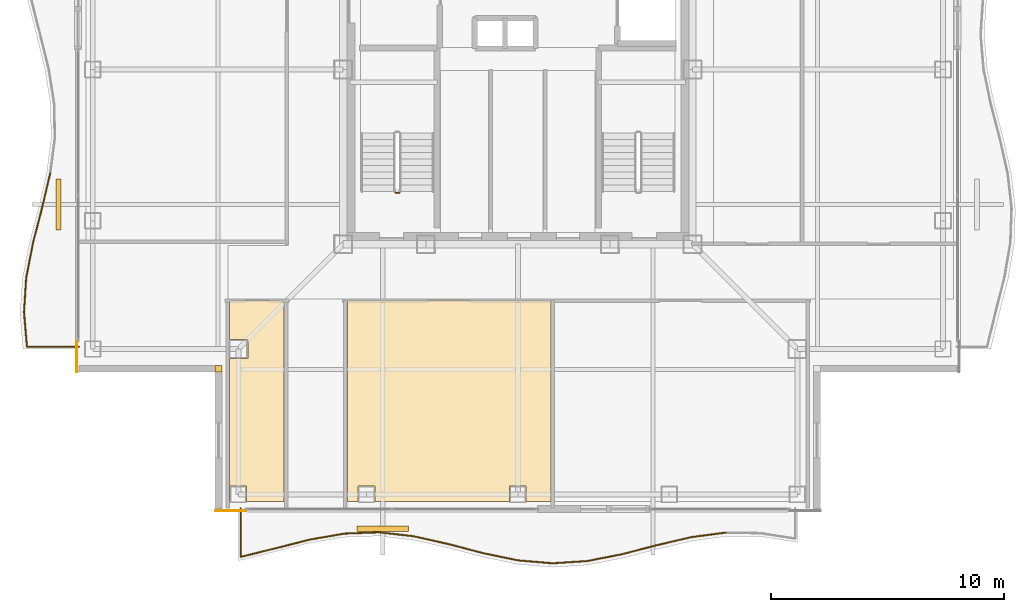
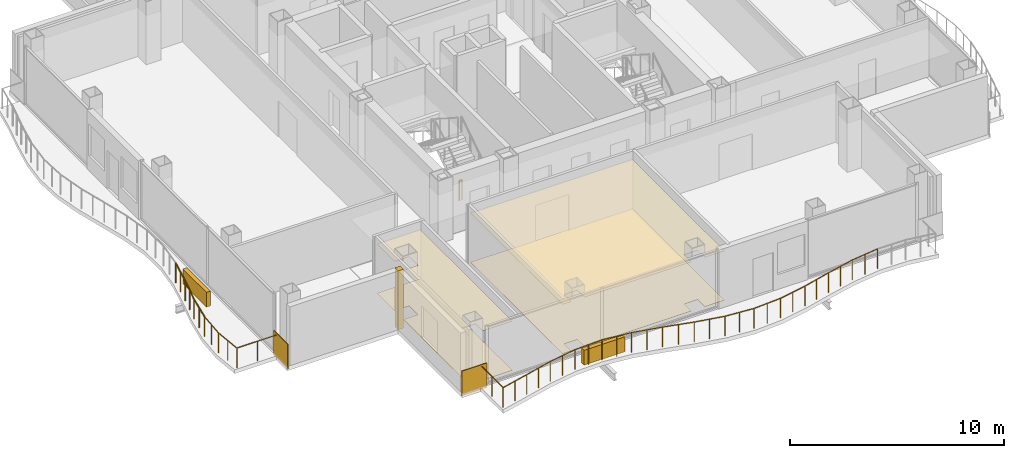
# One storey, part 13 of 17: 22 railings, 7 coverings, 2 shading devices.
"""IFC4 building model written with IfcOpenShell, lengths in metres."""

from ifc_helpers import new_model, si_unit, direction, frame, frame_2d, origin, origin_2d, place, context, subcontext, project, spatial, polyline, rectangle, circle, outline, extrude, material, layer, layer_set, type_object, element, save


model = new_model("IFC4")

# Units and contexts
model_context = context("Model", 3, precision=1e-05, world=origin(), true_north=direction((0.0, 1.0)))
body_context = subcontext(model_context, "Body", "Model", "MODEL_VIEW")
ifc_project = project(units=[si_unit("LENGTHUNIT", "METRE"), si_unit("AREAUNIT", "SQUARE_METRE"), si_unit("VOLUMEUNIT", "CUBIC_METRE"), si_unit("PLANEANGLEUNIT", "RADIAN"), si_unit("MASSUNIT", "GRAM", prefix="KILO")], contexts=[model_context])

# Site, building, storey
site_placement = place(None, origin())
site = spatial("IfcSite", under=ifc_project, at=site_placement, CompositionType="ELEMENT")
building_placement = place(site_placement, origin())
building = spatial("IfcBuilding", under=site, at=building_placement, Name="Trevonay Congress Spire", CompositionType="ELEMENT")
storey_placement = place(building_placement, frame((0.0, 0.0, 264.800048828125)))
storey = spatial("IfcBuildingStorey", under=building, at=storey_placement, Name="L69", CompositionType="ELEMENT", Elevation=264.800048828125)

# Coverings
ifc_material_1 = material(Name="Acoustic Mineral Fibre Board", Category="gypsum")
ifc_layer_1 = layer(ifc_material_1, 0.02490234375, Name="Acoustic Mineral Fibre Board")
ifc_layer_set_1 = layer_set([ifc_layer_1], Name="Acoustic Mineral Fibre Board")
covering_type_1 = type_object("IfcCoveringType", Name="COV-CEIL-ACOUSTIC", PredefinedType="CEILING", material=ifc_layer_set_1)
covering_1_placement = place(storey_placement, frame((0.0, 0.0, 2.81005859375)))
element("IfcCovering", 1, at=covering_1_placement, inside=storey, type_object=covering_type_1, Name="L69 Horizon Telescope Lounge acoustic suspended ceiling", PredefinedType="CEILING", context=body_context, shape_type="SweptSolid", body=[
    extrude(outline(polyline([(-12.3701171875, -18.550048828125), (-12.3701171875, -12.409912109375), (-11.590087890625, -12.409912109375), (-11.590087890625, -11.590087890625), (-12.3701171875, -11.590087890625), (-12.3701171875, -9.929931640625), (-10.030029296875, -9.929931640625), (-10.030029296875, -18.550048828125), (-11.639892578125, -18.550048828125), (-11.639892578125, -17.889892578125), (-12.360107421875, -17.889892578125), (-12.360107421875, -18.550048828125), (-12.3701171875, -18.550048828125)])), origin(), (0.0, 0.0, 1.0), 0.02490234375),
])
covering_2_placement = place(storey_placement, frame((0.0, 0.0, 2.81005859375)))
element("IfcCovering", 2, at=covering_2_placement, inside=storey, type_object=covering_type_1, Name="L69 Contemporary Latin Art Gallery Lounge acoustic suspended ceiling", PredefinedType="CEILING", context=body_context, shape_type="SweptSolid", body=[
    extrude(outline(polyline([(-7.320068359375, -18.550048828125), (-7.320068359375, -9.929931640625), (1.419921875, -9.929931640625), (1.419921875, -18.550048828125), (0.360107421875, -18.550048828125), (0.360107421875, -17.889892578125), (-0.360107421875, -17.889892578125), (-0.360107421875, -18.550048828125), (-6.139892578125, -18.550048828125), (-6.139892578125, -17.889892578125), (-6.860107421875, -17.889892578125), (-6.860107421875, -18.550048828125), (-7.320068359375, -18.550048828125)])), origin(), (0.0, 0.0, 1.0), 0.02490234375),
])
ifc_material_2 = material(Name="Engineered Oak Flooring", Category="wood")
ifc_layer_2 = layer(ifc_material_2, 0.01806640625, Name="Engineered Oak Flooring")
ifc_layer_set_2 = layer_set([ifc_layer_2], Name="Engineered Oak Flooring")
covering_type_2 = type_object("IfcCoveringType", Name="COV-FLOOR-TIMBER", PredefinedType="FLOORING", material=ifc_layer_set_2)
covering_3_placement = place(storey_placement, origin())
element("IfcCovering", 3, at=covering_3_placement, inside=storey, type_object=covering_type_2, Name="L69 Horizon Telescope Lounge floor finish", PredefinedType="FLOORING", context=body_context, shape_type="SweptSolid", body=[
    extrude(outline(polyline([(-12.3701171875, -18.550048828125), (-12.3701171875, -12.409912109375), (-11.590087890625, -12.409912109375), (-11.590087890625, -11.590087890625), (-12.3701171875, -11.590087890625), (-12.3701171875, -9.929931640625), (-10.030029296875, -9.929931640625), (-10.030029296875, -18.550048828125), (-11.639892578125, -18.550048828125), (-11.639892578125, -17.889892578125), (-12.360107421875, -17.889892578125), (-12.360107421875, -18.550048828125), (-12.3701171875, -18.550048828125)])), origin(), (0.0, 0.0, 1.0), 0.01806640625),
])
covering_4_placement = place(storey_placement, origin())
element("IfcCovering", 4, at=covering_4_placement, inside=storey, type_object=covering_type_2, Name="L69 Contemporary Latin Art Gallery Lounge floor finish", PredefinedType="FLOORING", context=body_context, shape_type="SweptSolid", body=[
    extrude(outline(polyline([(-7.320068359375, -18.550048828125), (-7.320068359375, -9.929931640625), (1.419921875, -9.929931640625), (1.419921875, -18.550048828125), (0.360107421875, -18.550048828125), (0.360107421875, -17.889892578125), (-0.360107421875, -17.889892578125), (-0.360107421875, -18.550048828125), (-6.139892578125, -18.550048828125), (-6.139892578125, -17.889892578125), (-6.860107421875, -17.889892578125), (-6.860107421875, -18.550048828125), (-7.320068359375, -18.550048828125)])), origin(), (0.0, 0.0, 1.0), 0.01806640625),
])
ifc_material_3 = material(Name="Pale Anodised Aluminium EN AW-6063-T6", Category="aluminium")
ifc_layer_3 = layer(ifc_material_3, 0.0400390625, Name="Pale Anodised Aluminium EN AW-6063-T6")
ifc_layer_set_3 = layer_set([ifc_layer_3], Name="Pale Anodised Aluminium EN AW-6063-T6")
covering_type_3 = type_object("IfcCoveringType", Name="COV-SPANDREL-PALE-METAL", PredefinedType="CLADDING", material=ifc_layer_set_3)
covering_5_placement = place(storey_placement, origin())
element("IfcCovering", 5, at=covering_5_placement, inside=storey, type_object=covering_type_3, Name="L69 SW re-entrant notch corner closure trim", PredefinedType="CLADDING", context=body_context, shape_type="SweptSolid", body=[
    extrude(outline(polyline([(-13.0, -13.0), (-12.699951171875, -13.0), (-12.699951171875, -12.699951171875), (-13.0, -12.699951171875), (-13.0, -13.0)])), origin(), (0.0, 0.0, 1.0), 3.35986328125),
])
for number, where, z_axis, x_axis, name in (
    (6, (-18.93994140625, -11.64990234375, -0.150146484375), (0.0, 0.0, 1.0), (0.0, -1.0, 0.0), "L69 SW corner pier spandrel cladding 1"),
    (7, (-11.64990234375, -18.93994140625, -0.150146484375), (0.0, 0.0, 1.0), (-1.0, 0.0, 0.0), "L69 SW corner pier spandrel cladding 2"),
):
    element("IfcCovering", number, at=place(storey_placement, frame(where, z_axis=z_axis, x_axis=x_axis)), inside=storey, type_object=covering_type_3, Name=name, PredefinedType="CLADDING", context=body_context, shape_type="SweptSolid", body=[
        extrude(rectangle(XDim=1.35009765625, YDim=0.0400390625, at=frame_2d((0.675048828125, 0.0))), origin(), (0.0, 0.0, 1.0), 1.400146484375),
    ])

# Railings
railing_type_1 = type_object("IfcRailingType", Name="RAL-EXT-GUARD-115", PredefinedType="GUARDRAIL", material=ifc_material_3)
railing_1_placement = place(storey_placement, frame((-11.904052734375, -20.927978515625, 0.0)))
element("IfcRailing", 8, at=railing_1_placement, inside=storey, type_object=railing_type_1, Name="L69 perimeter safety guard GRD-L69-WAV-S-1", PredefinedType="GUARDRAIL", context=body_context, shape_type="SweptSolid", body=[
    extrude(circle(Radius=0.02392578125, at=origin_2d()), frame((0.0, 0.0, 1.1259765625), z_axis=(0.970915256324, 0.23942340119, 0.0), x_axis=(-0.23942340119, 0.970915256324, 0.0)), (0.0, 0.0, 1.0), 1.53271484375),
    extrude(circle(Radius=0.02099609375, at=origin_2d()), origin(), (0.0, 0.0, 1.0), 1.101806640625),
    extrude(circle(Radius=0.02099609375, at=origin_2d()), frame((0.744140625, 0.18359375, 0.0)), (0.0, 0.0, 1.0), 1.101806640625),
    extrude(circle(Radius=0.02099609375, at=origin_2d()), frame((1.488037109375, 0.366943359375, 0.0)), (0.0, 0.0, 1.0), 1.101806640625),
])
railing_2_placement = place(storey_placement, frame((-10.416015625, -20.56103515625, 0.0)))
element("IfcRailing", 9, at=railing_2_placement, inside=storey, type_object=railing_type_1, Name="L69 perimeter safety guard GRD-L69-WAV-S-2", PredefinedType="GUARDRAIL", context=body_context, shape_type="SweptSolid", body=[
    extrude(circle(Radius=0.02392578125, at=origin_2d()), frame((0.0, 0.0, 1.1259765625), z_axis=(0.969379961434, 0.245565653889, 0.0), x_axis=(-0.245565653889, 0.969379961434, 0.0)), (0.0, 0.0, 1.0), 1.53515625),
    extrude(circle(Radius=0.02099609375, at=origin_2d()), origin(), (0.0, 0.0, 1.0), 1.101806640625),
    extrude(circle(Radius=0.02099609375, at=origin_2d()), frame((0.744140625, 0.1884765625, 0.0)), (0.0, 0.0, 1.0), 1.101806640625),
    extrude(circle(Radius=0.02099609375, at=origin_2d()), frame((1.488037109375, 0.376953125, 0.0)), (0.0, 0.0, 1.0), 1.101806640625),
])
railing_3_placement = place(storey_placement, frame((-8.927978515625, -20.18408203125, 0.0)))
element("IfcRailing", 10, at=railing_3_placement, inside=storey, type_object=railing_type_1, Name="L69 perimeter safety guard GRD-L69-WAV-S-3", PredefinedType="GUARDRAIL", context=body_context, shape_type="SweptSolid", body=[
    extrude(circle(Radius=0.02392578125, at=origin_2d()), frame((0.0, 0.0, 1.1259765625), z_axis=(0.985293508536, 0.170870424696, 0.0), x_axis=(-0.170870424696, 0.985293508536, 0.0)), (0.0, 0.0, 1.0), 1.51025390625),
    extrude(circle(Radius=0.02099609375, at=origin_2d()), origin(), (0.0, 0.0, 1.0), 1.101806640625),
    extrude(circle(Radius=0.02099609375, at=origin_2d()), frame((0.744140625, 0.12890625, 0.0)), (0.0, 0.0, 1.0), 1.101806640625),
    extrude(circle(Radius=0.02099609375, at=origin_2d()), frame((1.488037109375, 0.258056640625, 0.0)), (0.0, 0.0, 1.0), 1.101806640625),
])
railing_4_placement = place(storey_placement, frame((-7.43994140625, -19.926025390625, 0.0)))
element("IfcRailing", 11, at=railing_4_placement, inside=storey, type_object=railing_type_1, Name="L69 perimeter safety guard GRD-L69-WAV-S-4", PredefinedType="GUARDRAIL", context=body_context, shape_type="SweptSolid", body=[
    extrude(circle(Radius=0.02392578125, at=origin_2d()), frame((0.0, 0.0, 1.1259765625), z_axis=(0.99936681675, 0.035580410047, 0.0), x_axis=(-0.035580410047, 0.99936681675, 0.0)), (0.0, 0.0, 1.0), 1.489013671875),
    extrude(circle(Radius=0.02099609375, at=origin_2d()), origin(), (0.0, 0.0, 1.0), 1.101806640625),
    extrude(circle(Radius=0.02099609375, at=origin_2d()), frame((0.744140625, 0.0263671875, 0.0)), (0.0, 0.0, 1.0), 1.101806640625),
    extrude(circle(Radius=0.02099609375, at=origin_2d()), frame((1.488037109375, 0.052978515625, 0.0)), (0.0, 0.0, 1.0), 1.101806640625),
])
railing_5_placement = place(storey_placement, frame((-5.951904296875, -19.873046875, 0.0)))
element("IfcRailing", 12, at=railing_5_placement, inside=storey, type_object=railing_type_1, Name="L69 perimeter safety guard GRD-L69-WAV-S-5", PredefinedType="GUARDRAIL", context=body_context, shape_type="SweptSolid", body=[
    extrude(circle(Radius=0.02392578125, at=origin_2d()), frame((0.0, 0.0, 1.1259765625), z_axis=(0.993614397516, -0.112829203, 0.0), x_axis=(0.112829203, 0.993614397516, 0.0)), (0.0, 0.0, 1.0), 1.497314453125),
    extrude(circle(Radius=0.02099609375, at=origin_2d()), origin(), (0.0, 0.0, 1.0), 1.101806640625),
    extrude(circle(Radius=0.02099609375, at=origin_2d()), frame((0.743896484375, -0.08447265625, 0.0)), (0.0, 0.0, 1.0), 1.101806640625),
    extrude(circle(Radius=0.02099609375, at=origin_2d()), frame((1.48779296875, -0.1689453125, 0.0)), (0.0, 0.0, 1.0), 1.101806640625),
])
railing_6_placement = place(storey_placement, frame((-4.464111328125, -20.0419921875, 0.0)))
element("IfcRailing", 13, at=railing_6_placement, inside=storey, type_object=railing_type_1, Name="L69 perimeter safety guard GRD-L69-WAV-S-6", PredefinedType="GUARDRAIL", context=body_context, shape_type="SweptSolid", body=[
    extrude(circle(Radius=0.02392578125, at=origin_2d()), frame((0.0, 0.0, 1.1259765625), z_axis=(0.975450983832, -0.220216661814, 0.0), x_axis=(0.220216661814, 0.975450983832, 0.0)), (0.0, 0.0, 1.0), 1.525390625),
    extrude(circle(Radius=0.02099609375, at=origin_2d()), origin(), (0.0, 0.0, 1.0), 1.101806640625),
    extrude(circle(Radius=0.02099609375, at=origin_2d()), frame((0.744140625, -0.16796875, 0.0)), (0.0, 0.0, 1.0), 1.101806640625),
    extrude(circle(Radius=0.02099609375, at=origin_2d()), frame((1.488037109375, -0.3359375, 0.0)), (0.0, 0.0, 1.0), 1.101806640625),
])
railing_7_placement = place(storey_placement, frame((-2.97607421875, -20.3779296875, 0.0)))
element("IfcRailing", 14, at=railing_7_placement, inside=storey, type_object=railing_type_1, Name="L69 perimeter safety guard GRD-L69-WAV-S-7", PredefinedType="GUARDRAIL", context=body_context, shape_type="SweptSolid", body=[
    extrude(circle(Radius=0.02392578125, at=origin_2d()), frame((0.0, 0.0, 1.1259765625), z_axis=(0.967462011556, -0.253016316066, 0.0), x_axis=(0.253016316066, 0.967462011556, 0.0)), (0.0, 0.0, 1.0), 1.5380859375),
    extrude(circle(Radius=0.02099609375, at=origin_2d()), origin(), (0.0, 0.0, 1.0), 1.101806640625),
    extrude(circle(Radius=0.02099609375, at=origin_2d()), frame((0.744140625, -0.194580078125, 0.0)), (0.0, 0.0, 1.0), 1.101806640625),
    extrude(circle(Radius=0.02099609375, at=origin_2d()), frame((1.488037109375, -0.38916015625, 0.0)), (0.0, 0.0, 1.0), 1.101806640625),
])
railing_8_placement = place(storey_placement, frame((-1.488037109375, -20.76708984375, 0.0)))
element("IfcRailing", 15, at=railing_8_placement, inside=storey, type_object=railing_type_1, Name="L69 perimeter safety guard GRD-L69-WAV-S-8", PredefinedType="GUARDRAIL", context=body_context, shape_type="SweptSolid", body=[
    extrude(circle(Radius=0.02392578125, at=origin_2d()), frame((0.0, 0.0, 1.1259765625), z_axis=(0.979133837467, -0.203216456833, 0.0), x_axis=(0.203216456833, 0.979133837467, 0.0)), (0.0, 0.0, 1.0), 1.519775390625),
    extrude(circle(Radius=0.02099609375, at=origin_2d()), origin(), (0.0, 0.0, 1.0), 1.101806640625),
    extrude(circle(Radius=0.02099609375, at=origin_2d()), frame((0.744140625, -0.154296875, 0.0)), (0.0, 0.0, 1.0), 1.101806640625),
    extrude(circle(Radius=0.02099609375, at=origin_2d()), frame((1.488037109375, -0.308837890625, 0.0)), (0.0, 0.0, 1.0), 1.101806640625),
])
railing_9_placement = place(storey_placement, frame((0.0, -21.075927734375, 0.0)))
element("IfcRailing", 16, at=railing_9_placement, inside=storey, type_object=railing_type_1, Name="L69 perimeter safety guard GRD-L69-WAV-S-9", PredefinedType="GUARDRAIL", context=body_context, shape_type="SweptSolid", body=[
    extrude(circle(Radius=0.02392578125, at=origin_2d()), frame((0.0, 0.0, 1.1259765625), z_axis=(0.996380352402, -0.085007019401, 0.0), x_axis=(0.085007019401, 0.996380352402, 0.0)), (0.0, 0.0, 1.0), 1.493408203125),
    extrude(circle(Radius=0.02099609375, at=origin_2d()), origin(), (0.0, 0.0, 1.0), 1.101806640625),
    extrude(circle(Radius=0.02099609375, at=origin_2d()), frame((0.744140625, -0.0634765625, 0.0)), (0.0, 0.0, 1.0), 1.101806640625),
    extrude(circle(Radius=0.02099609375, at=origin_2d()), frame((1.488037109375, -0.126953125, 0.0)), (0.0, 0.0, 1.0), 1.101806640625),
])
railing_10_placement = place(storey_placement, frame((1.488037109375, -21.202880859375, 0.0)))
element("IfcRailing", 17, at=railing_10_placement, inside=storey, type_object=railing_type_1, Name="L69 perimeter safety guard GRD-L69-WAV-S-10", PredefinedType="GUARDRAIL", context=body_context, shape_type="SweptSolid", body=[
    extrude(circle(Radius=0.02392578125, at=origin_2d()), frame((0.0, 0.0, 1.1259765625), z_axis=(0.997885418785, 0.064997622848, 0.0), x_axis=(-0.064997622848, 0.997885418785, 0.0)), (0.0, 0.0, 1.0), 1.4912109375),
    extrude(circle(Radius=0.02099609375, at=origin_2d()), origin(), (0.0, 0.0, 1.0), 1.101806640625),
    extrude(circle(Radius=0.02099609375, at=origin_2d()), frame((0.744140625, 0.04833984375, 0.0)), (0.0, 0.0, 1.0), 1.101806640625),
    extrude(circle(Radius=0.02099609375, at=origin_2d()), frame((1.488037109375, 0.096923828125, 0.0)), (0.0, 0.0, 1.0), 1.101806640625),
])
railing_11_placement = place(storey_placement, frame((2.97607421875, -21.10595703125, 0.0)))
element("IfcRailing", 18, at=railing_11_placement, inside=storey, type_object=railing_type_1, Name="L69 perimeter safety guard GRD-L69-WAV-S-11", PredefinedType="GUARDRAIL", context=body_context, shape_type="SweptSolid", body=[
    extrude(circle(Radius=0.02392578125, at=origin_2d()), frame((0.0, 0.0, 1.1259765625), z_axis=(0.981407822863, 0.191934064783, 0.0), x_axis=(-0.191934064783, 0.981407822863, 0.0)), (0.0, 0.0, 1.0), 1.51611328125),
    extrude(circle(Radius=0.02099609375, at=origin_2d()), origin(), (0.0, 0.0, 1.0), 1.101806640625),
    extrude(circle(Radius=0.02099609375, at=origin_2d()), frame((0.744140625, 0.1455078125, 0.0)), (0.0, 0.0, 1.0), 1.101806640625),
    extrude(circle(Radius=0.02099609375, at=origin_2d()), frame((1.488037109375, 0.291015625, 0.0)), (0.0, 0.0, 1.0), 1.101806640625),
])
railing_12_placement = place(storey_placement, frame((4.464111328125, -20.81494140625, 0.0)))
element("IfcRailing", 19, at=railing_12_placement, inside=storey, type_object=railing_type_1, Name="L69 perimeter safety guard GRD-L69-WAV-S-12", PredefinedType="GUARDRAIL", context=body_context, shape_type="SweptSolid", body=[
    extrude(circle(Radius=0.02392578125, at=origin_2d()), frame((0.0, 0.0, 1.1259765625), z_axis=(0.967955440232, 0.251122013621, 0.0), x_axis=(-0.251122013621, 0.967955440232, 0.0)), (0.0, 0.0, 1.0), 1.537109375),
    extrude(circle(Radius=0.02099609375, at=origin_2d()), origin(), (0.0, 0.0, 1.0), 1.101806640625),
    extrude(circle(Radius=0.02099609375, at=origin_2d()), frame((0.743896484375, 0.19287109375, 0.0)), (0.0, 0.0, 1.0), 1.101806640625),
    extrude(circle(Radius=0.02099609375, at=origin_2d()), frame((1.48779296875, 0.385986328125, 0.0)), (0.0, 0.0, 1.0), 1.101806640625),
])
railing_13_placement = place(storey_placement, frame((5.951904296875, -20.428955078125, 0.0)))
element("IfcRailing", 20, at=railing_13_placement, inside=storey, type_object=railing_type_1, Name="L69 perimeter safety guard GRD-L69-WAV-S-13", PredefinedType="GUARDRAIL", context=body_context, shape_type="SweptSolid", body=[
    extrude(circle(Radius=0.02392578125, at=origin_2d()), frame((0.0, 0.0, 1.1259765625), z_axis=(0.973599117834, 0.228264666019, 0.0), x_axis=(-0.228264666019, 0.973599117834, 0.0)), (0.0, 0.0, 1.0), 1.5283203125),
    extrude(circle(Radius=0.02099609375, at=origin_2d()), origin(), (0.0, 0.0, 1.0), 1.101806640625),
    extrude(circle(Radius=0.02099609375, at=origin_2d()), frame((0.744140625, 0.17431640625, 0.0)), (0.0, 0.0, 1.0), 1.101806640625),
    extrude(circle(Radius=0.02099609375, at=origin_2d()), frame((1.488037109375, 0.348876953125, 0.0)), (0.0, 0.0, 1.0), 1.101806640625),
])
railing_14_placement = place(storey_placement, frame((7.43994140625, -20.080078125, 0.0)))
element("IfcRailing", 21, at=railing_14_placement, inside=storey, type_object=railing_type_1, Name="L69 perimeter safety guard GRD-L69-WAV-S-14", PredefinedType="GUARDRAIL", context=body_context, shape_type="SweptSolid", body=[
    extrude(circle(Radius=0.02392578125, at=origin_2d()), frame((0.0, 0.0, 1.1259765625), z_axis=(0.991432689491, 0.130618613562, 0.0), x_axis=(-0.130618613562, 0.991432689491, 0.0)), (0.0, 0.0, 1.0), 1.5009765625),
    extrude(circle(Radius=0.02099609375, at=origin_2d()), origin(), (0.0, 0.0, 1.0), 1.101806640625),
    extrude(circle(Radius=0.02099609375, at=origin_2d()), frame((0.744140625, 0.09814453125, 0.0)), (0.0, 0.0, 1.0), 1.101806640625),
    extrude(circle(Radius=0.02099609375, at=origin_2d()), frame((1.488037109375, 0.196044921875, 0.0)), (0.0, 0.0, 1.0), 1.101806640625),
])
railing_15_placement = place(storey_placement, frame((-11.904052734375, -18.847900390625, 0.0)))
element("IfcRailing", 22, at=railing_15_placement, inside=storey, type_object=railing_type_1, Name="L69 perimeter safety guard GRD-L69-WAV-S-34", PredefinedType="GUARDRAIL", context=body_context, shape_type="SweptSolid", body=[
    extrude(circle(Radius=0.02392578125, at=origin_2d()), frame((0.0, 0.0, 1.1259765625), z_axis=(0.0, -1.0, 0.0), x_axis=(1.0, 0.0, 0.0)), (0.0, 0.0, 1.0), 2.080078125),
    extrude(circle(Radius=0.02099609375, at=origin_2d()), origin(), (0.0, 0.0, 1.0), 1.101806640625),
    extrude(circle(Radius=0.02099609375, at=origin_2d()), frame((0.0, -1.0400390625, 0.0)), (0.0, 0.0, 1.0), 1.101806640625),
    extrude(circle(Radius=0.02099609375, at=origin_2d()), frame((0.0, -2.080078125, 0.0)), (0.0, 0.0, 1.0), 1.101806640625),
])
railing_16_placement = place(storey_placement, frame((-20.080078125, -4.464111328125, 0.0)))
element("IfcRailing", 23, at=railing_16_placement, inside=storey, type_object=railing_type_1, Name="L69 perimeter safety guard GRD-L69-WAV-W-29", PredefinedType="GUARDRAIL", context=body_context, shape_type="SweptSolid", body=[
    extrude(circle(Radius=0.02392578125, at=origin_2d()), frame((0.0, 0.0, 1.1259765625), z_axis=(-0.228300171141, -0.973590792816, 0.0), x_axis=(0.973590792816, -0.228300171141, 0.0)), (0.0, 0.0, 1.0), 1.528076171875),
    extrude(circle(Radius=0.02099609375, at=origin_2d()), origin(), (0.0, 0.0, 1.0), 1.101806640625),
    extrude(circle(Radius=0.02099609375, at=origin_2d()), frame((-0.17431640625, -0.743896484375, 0.0)), (0.0, 0.0, 1.0), 1.101806640625),
    extrude(circle(Radius=0.02099609375, at=origin_2d()), frame((-0.348876953125, -1.48779296875, 0.0)), (0.0, 0.0, 1.0), 1.101806640625),
])
railing_17_placement = place(storey_placement, frame((-20.428955078125, -5.951904296875, 0.0)))
element("IfcRailing", 24, at=railing_17_placement, inside=storey, type_object=railing_type_1, Name="L69 perimeter safety guard GRD-L69-WAV-W-30", PredefinedType="GUARDRAIL", context=body_context, shape_type="SweptSolid", body=[
    extrude(circle(Radius=0.02392578125, at=origin_2d()), frame((0.0, 0.0, 1.1259765625), z_axis=(-0.251083409955, -0.967965454572, 0.0), x_axis=(0.967965454572, -0.251083409955, 0.0)), (0.0, 0.0, 1.0), 1.537353515625),
    extrude(circle(Radius=0.02099609375, at=origin_2d()), origin(), (0.0, 0.0, 1.0), 1.101806640625),
    extrude(circle(Radius=0.02099609375, at=origin_2d()), frame((-0.19287109375, -0.744140625, 0.0)), (0.0, 0.0, 1.0), 1.101806640625),
    extrude(circle(Radius=0.02099609375, at=origin_2d()), frame((-0.385986328125, -1.488037109375, 0.0)), (0.0, 0.0, 1.0), 1.101806640625),
])
railing_18_placement = place(storey_placement, frame((-20.81494140625, -7.43994140625, 0.0)))
element("IfcRailing", 25, at=railing_18_placement, inside=storey, type_object=railing_type_1, Name="L69 perimeter safety guard GRD-L69-WAV-W-31", PredefinedType="GUARDRAIL", context=body_context, shape_type="SweptSolid", body=[
    extrude(circle(Radius=0.02392578125, at=origin_2d()), frame((0.0, 0.0, 1.1259765625), z_axis=(-0.191934064783, -0.981407822863, 0.0), x_axis=(0.981407822863, -0.191934064783, 0.0)), (0.0, 0.0, 1.0), 1.51611328125),
    extrude(circle(Radius=0.02099609375, at=origin_2d()), origin(), (0.0, 0.0, 1.0), 1.101806640625),
    extrude(circle(Radius=0.02099609375, at=origin_2d()), frame((-0.1455078125, -0.744140625, 0.0)), (0.0, 0.0, 1.0), 1.101806640625),
    extrude(circle(Radius=0.02099609375, at=origin_2d()), frame((-0.291015625, -1.488037109375, 0.0)), (0.0, 0.0, 1.0), 1.101806640625),
])
railing_19_placement = place(storey_placement, frame((-21.10595703125, -8.927978515625, 0.0)))
element("IfcRailing", 26, at=railing_19_placement, inside=storey, type_object=railing_type_1, Name="L69 perimeter safety guard GRD-L69-WAV-W-32", PredefinedType="GUARDRAIL", context=body_context, shape_type="SweptSolid", body=[
    extrude(circle(Radius=0.02392578125, at=origin_2d()), frame((0.0, 0.0, 1.1259765625), z_axis=(-0.064997622848, -0.997885418785, 0.0), x_axis=(0.997885418785, -0.064997622848, 0.0)), (0.0, 0.0, 1.0), 1.4912109375),
    extrude(circle(Radius=0.02099609375, at=origin_2d()), origin(), (0.0, 0.0, 1.0), 1.101806640625),
    extrude(circle(Radius=0.02099609375, at=origin_2d()), frame((-0.04833984375, -0.744140625, 0.0)), (0.0, 0.0, 1.0), 1.101806640625),
    extrude(circle(Radius=0.02099609375, at=origin_2d()), frame((-0.096923828125, -1.488037109375, 0.0)), (0.0, 0.0, 1.0), 1.101806640625),
])
railing_20_placement = place(storey_placement, frame((-21.202880859375, -10.416015625, 0.0)))
element("IfcRailing", 27, at=railing_20_placement, inside=storey, type_object=railing_type_1, Name="L69 perimeter safety guard GRD-L69-WAV-W-33", PredefinedType="GUARDRAIL", context=body_context, shape_type="SweptSolid", body=[
    extrude(circle(Radius=0.02392578125, at=origin_2d()), frame((0.0, 0.0, 1.1259765625), z_axis=(0.085007019401, -0.996380352402, 0.0), x_axis=(0.996380352402, 0.085007019401, 0.0)), (0.0, 0.0, 1.0), 1.493408203125),
    extrude(circle(Radius=0.02099609375, at=origin_2d()), origin(), (0.0, 0.0, 1.0), 1.101806640625),
    extrude(circle(Radius=0.02099609375, at=origin_2d()), frame((0.0634765625, -0.744140625, 0.0)), (0.0, 0.0, 1.0), 1.101806640625),
    extrude(circle(Radius=0.02099609375, at=origin_2d()), frame((0.126953125, -1.488037109375, 0.0)), (0.0, 0.0, 1.0), 1.101806640625),
])
railing_21_placement = place(storey_placement, frame((-21.075927734375, -11.904052734375, 0.0)))
element("IfcRailing", 28, at=railing_21_placement, inside=storey, type_object=railing_type_1, Name="L69 perimeter safety guard GRD-L69-WAV-W-34", PredefinedType="GUARDRAIL", context=body_context, shape_type="SweptSolid", body=[
    extrude(circle(Radius=0.02392578125, at=origin_2d()), frame((0.0, 0.0, 1.1259765625), z_axis=(1.0, 0.0, 0.0), x_axis=(0.0, 1.0, 0.0)), (0.0, 0.0, 1.0), 2.22802734375),
    extrude(circle(Radius=0.02099609375, at=origin_2d()), origin(), (0.0, 0.0, 1.0), 1.101806640625),
    extrude(circle(Radius=0.02099609375, at=origin_2d()), frame((1.114013671875, 0.0, 0.0)), (0.0, 0.0, 1.0), 1.101806640625),
    extrude(circle(Radius=0.02099609375, at=origin_2d()), frame((2.22802734375, 0.0, 0.0)), (0.0, 0.0, 1.0), 1.101806640625),
])
railing_type_2 = type_object("IfcRailingType", Name="RAL-STAIR-GUARD-110", PredefinedType="GUARDRAIL", material=ifc_material_3)
railing_22_placement = place(storey_placement, frame((-5.10009765625, -5.300048828125, 0.0)))
element("IfcRailing", 29, at=railing_22_placement, inside=storey, type_object=railing_type_2, Name="L69 ST-1 stair guard 4", PredefinedType="GUARDRAIL", context=body_context, shape_type="SweptSolid", body=[
    extrude(circle(Radius=0.02392578125, at=origin_2d()), frame((0.0, 0.0, 1.1259765625), z_axis=(-1.0, 0.0, 0.0), x_axis=(0.0, -1.0, 0.0)), (0.0, 0.0, 1.0), 0.14990234375),
    extrude(circle(Radius=0.02099609375, at=origin_2d()), origin(), (0.0, 0.0, 1.0), 1.101806640625),
    extrude(circle(Radius=0.02099609375, at=origin_2d()), frame((-0.14990234375, 0.0, 0.0)), (0.0, 0.0, 1.0), 1.101806640625),
])

# Shading devices
shading_device_type = type_object("IfcShadingDeviceType", Name="SHD-LOUVRE-WAVE-ALUM", PredefinedType="USERDEFINED", material=ifc_material_3)
for number, where, z_axis, x_axis, name in (
    (30, (-5.800048828125, -19.719970703125, -0.01513671875), (0.0, 0.0, 1.0), (1.0, 0.0, 0.0), "L69 S sinusoidal balcony horizontal sunshade louvre"),
    (31, (-19.719970703125, -5.800048828125, -0.01513671875), (0.0, 0.0, 1.0), (0.0, 1.0, 0.0), "L69 W sinusoidal balcony horizontal sunshade louvre"),
):
    element("IfcShadingDevice", number, at=place(storey_placement, frame(where, z_axis=z_axis, x_axis=x_axis)), inside=storey, type_object=shading_device_type, Name=name, ObjectType="LOUVRE", PredefinedType="USERDEFINED", context=body_context, shape_type="SweptSolid", body=[
        extrude(rectangle(XDim=2.199951171875, YDim=0.219970703125, at=origin_2d()), origin(), (0.0, 0.0, 1.0), 0.85009765625),
    ])

save(model, "model.ifc")
